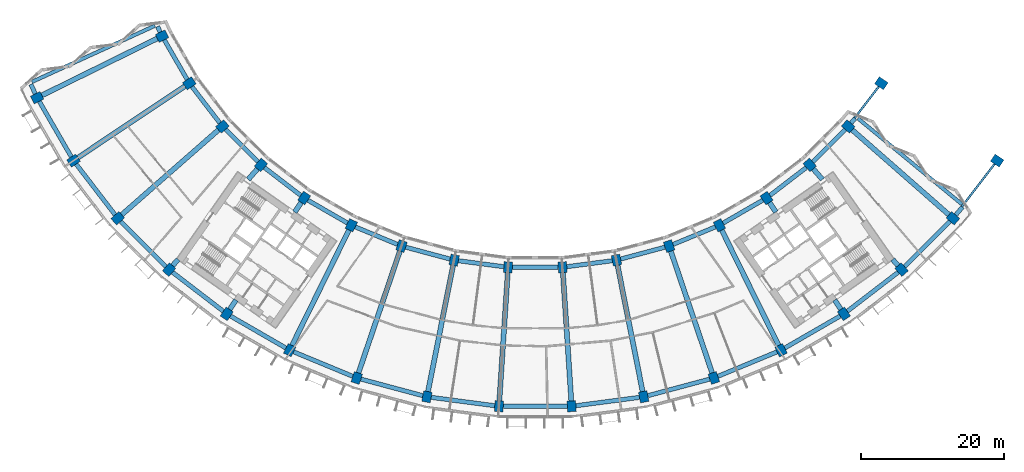
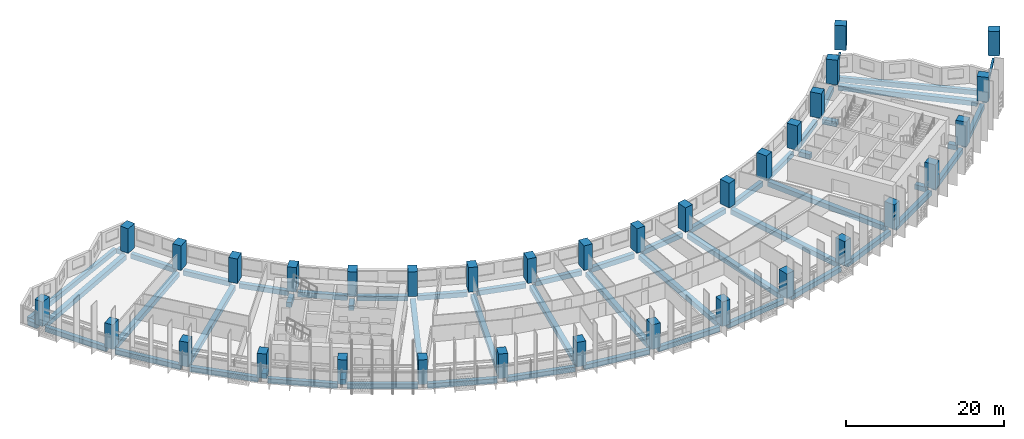
# One storey, part 1 of 30: 56 beams, 34 columns, 2 members.
"""IFC4 building model written with IfcOpenShell, lengths in metres."""

from ifc_helpers import new_model, si_unit, direction, frame, origin, origin_2d, place, context, subcontext, project, spatial, rectangle, hollow_rectangle, extrude, material, material_profile, profile_set, type_object, element, save


model = new_model("IFC4")

# Units and contexts
model_context = context("Model", 3, precision=1e-05, world=origin(), true_north=direction((0.0, 1.0)))
body_context = subcontext(model_context, "Body", "Model", "MODEL_VIEW")
ifc_project = project(units=[si_unit("LENGTHUNIT", "METRE"), si_unit("AREAUNIT", "SQUARE_METRE"), si_unit("VOLUMEUNIT", "CUBIC_METRE"), si_unit("PLANEANGLEUNIT", "RADIAN"), si_unit("MASSUNIT", "GRAM", prefix="KILO")], contexts=[model_context])

# Site, building, storey
site_placement = place(None, origin())
site = spatial("IfcSite", under=ifc_project, at=site_placement, CompositionType="ELEMENT")
building_placement = place(site_placement, origin())
building = spatial("IfcBuilding", under=site, at=building_placement, Name="Qamariyya Broadcast Tower", CompositionType="ELEMENT")
storey_placement = place(building_placement, frame((0.0, 0.0, 110.10009765625)))
storey = spatial("IfcBuildingStorey", under=building, at=storey_placement, Name="L24", CompositionType="ELEMENT", Elevation=110.10009765625)

# Columns
ifc_material_1 = material(Name="Concrete C70/85", Category="concrete")
ifc_material_profile_1 = material_profile(ifc_material_1, rectangle(XDim=1.199951171875, YDim=1.5, at=origin_2d()))
ifc_profile_set_1 = profile_set([ifc_material_profile_1], Name="Concrete C70/85")
column_type = type_object("IfcColumnType", Name="RC column 1200 x 1500 C70/85", PredefinedType="COLUMN", material=ifc_profile_set_1)
for number, where, z_axis, x_axis, name in (
    (1, (-52.242919921875, -25.763427734375, 0.0), (0.0, 0.0, 1.0), (0.442288690219, -0.896872741533, 0.0), "Column C7 L24 B-R02"),
    (2, (-69.73193359375, -34.387939453125, 0.0), (0.0, 0.0, 1.0), (0.442288690219, -0.896872741533, 0.0), "Column C7 L24 C-R02"),
    (3, (-48.43310546875, -32.362060546875, 0.0), (0.0, 0.0, 1.0), (0.55557023302, -0.831469612303, 0.0), "Column C7 L24 B-R03"),
    (4, (-64.646728515625, -43.195556640625, 0.0), (0.0, 0.0, 1.0), (0.55557023302, -0.831469612303, 0.0), "Column C7 L24 C-R03"),
    (5, (-43.794677734375, -38.406982421875, 0.0), (0.0, 0.0, 1.0), (0.6593458151, -0.751839807479, 0.0), "Column C7 L24 B-R04"),
    (6, (-58.45556640625, -51.26416015625, 0.0), (0.0, 0.0, 1.0), (0.6593458151, -0.751839807479, 0.0), "Column C7 L24 C-R04"),
    (7, (-38.406982421875, -43.794677734375, 0.0), (0.0, 0.0, 1.0), (0.751839807479, -0.6593458151, 0.0), "Column C7 L24 B-R05"),
    (8, (-51.26416015625, -58.45556640625, 0.0), (0.0, 0.0, 1.0), (0.751839807479, -0.6593458151, 0.0), "Column C7 L24 C-R05"),
    (9, (-32.362060546875, -48.43310546875, 0.0), (0.0, 0.0, 1.0), (0.831469612303, -0.55557023302, 0.0), "Column C7 L24 B-R06"),
    (10, (-43.195556640625, -64.646728515625, 0.0), (0.0, 0.0, 1.0), (0.831469612303, -0.55557023302, 0.0), "Column C7 L24 C-R06"),
    (11, (-25.763427734375, -52.242919921875, 0.0), (0.0, 0.0, 1.0), (0.896872741533, -0.442288690219, 0.0), "Column C7 L24 B-R07"),
    (12, (-34.387939453125, -69.73193359375, 0.0), (0.0, 0.0, 1.0), (0.896872741533, -0.442288690219, 0.0), "Column C7 L24 C-R07"),
    (13, (-18.723876953125, -55.15869140625, 0.0), (0.0, 0.0, 1.0), (0.946930129495, -0.321439465303, 0.0), "Column C7 L24 B-R08"),
    (14, (-24.991943359375, -73.623779296875, 0.0), (0.0, 0.0, 1.0), (0.946930129495, -0.321439465303, 0.0), "Column C7 L24 C-R08"),
    (15, (-11.364013671875, -57.130859375, 0.0), (0.0, 0.0, 1.0), (0.980785280403, -0.195090322016, 0.0), "Column C7 L24 B-R09"),
    (16, (-15.168212890625, -76.256103515625, 0.0), (0.0, 0.0, 1.0), (0.980785280403, -0.195090322016, 0.0), "Column C7 L24 C-R09"),
    (17, (-3.809814453125, -58.125244140625, 0.0), (0.0, 0.0, 1.0), (0.997858923239, -0.06540312923, 0.0), "Column C7 L24 B-R10"),
    (18, (-5.085205078125, -77.58349609375, 0.0), (0.0, 0.0, 1.0), (0.997858923239, -0.06540312923, 0.0), "Column C7 L24 C-R10"),
    (19, (3.809814453125, -58.125244140625, 0.0), (0.0, 0.0, 1.0), (0.997858923239, 0.06540312923, 0.0), "Column C7 L24 B-R11"),
    (20, (5.085205078125, -77.58349609375, 0.0), (0.0, 0.0, 1.0), (0.997858923239, 0.06540312923, 0.0), "Column C7 L24 C-R11"),
    (21, (11.364013671875, -57.130859375, 0.0), (0.0, 0.0, 1.0), (0.980785280403, 0.195090322016, 0.0), "Column C7 L24 B-R12"),
    (22, (15.168212890625, -76.256103515625, 0.0), (0.0, 0.0, 1.0), (0.980785280403, 0.195090322016, 0.0), "Column C7 L24 C-R12"),
    (23, (18.723876953125, -55.15869140625, 0.0), (0.0, 0.0, 1.0), (0.946930129495, 0.321439465303, 0.0), "Column C7 L24 B-R13"),
    (24, (24.991943359375, -73.623779296875, 0.0), (0.0, 0.0, 1.0), (0.946930129495, 0.321439465303, 0.0), "Column C7 L24 C-R13"),
    (25, (25.763427734375, -52.242919921875, 0.0), (0.0, 0.0, 1.0), (0.896872741533, 0.442288690219, 0.0), "Column C7 L24 B-R14"),
    (26, (34.387939453125, -69.73193359375, 0.0), (0.0, 0.0, 1.0), (0.896872741533, 0.442288690219, 0.0), "Column C7 L24 C-R14"),
    (27, (32.362060546875, -48.43310546875, 0.0), (0.0, 0.0, 1.0), (0.831469612303, 0.55557023302, 0.0), "Column C7 L24 B-R15"),
    (28, (43.195556640625, -64.646728515625, 0.0), (0.0, 0.0, 1.0), (0.831469612303, 0.55557023302, 0.0), "Column C7 L24 C-R15"),
    (29, (38.406982421875, -43.794677734375, 0.0), (0.0, 0.0, 1.0), (0.751839807479, 0.6593458151, 0.0), "Column C7 L24 B-R16"),
    (30, (51.26416015625, -58.45556640625, 0.0), (0.0, 0.0, 1.0), (0.751839807479, 0.6593458151, 0.0), "Column C7 L24 C-R16"),
    (31, (43.794677734375, -38.406982421875, 0.0), (0.0, 0.0, 1.0), (0.6593458151, 0.751839807479, 0.0), "Column C7 L24 B-R17"),
    (32, (58.45556640625, -51.26416015625, 0.0), (0.0, 0.0, 1.0), (0.6593458151, 0.751839807479, 0.0), "Column C7 L24 C-R17"),
    (33, (48.43310546875, -32.362060546875, 0.0), (0.0, 0.0, 1.0), (0.55557023302, 0.831469612303, 0.0), "Column C7 L24 B-R18"),
    (34, (64.646728515625, -43.195556640625, 0.0), (0.0, 0.0, 1.0), (0.55557023302, 0.831469612303, 0.0), "Column C7 L24 C-R18"),
):
    element("IfcColumn", number, at=place(storey_placement, frame(where, z_axis=z_axis, x_axis=x_axis)), inside=storey, type_object=column_type, Name=name, PredefinedType="COLUMN", context=body_context, shape_type="SweptSolid", body=[
        extrude(rectangle(XDim=1.199951171875, YDim=1.5, at=origin_2d()), origin(), (0.0, 0.0, 1.0), 3.7998046875),
    ])

# Members
ifc_material_2 = material(Name="Steel S355", Category="steel")
ifc_material_profile_2 = material_profile(ifc_material_2, hollow_rectangle(XDim=0.300048828125, YDim=0.300048828125, WallThickness=0.012451171875, InnerFilletRadius=0.012451171875, OuterFilletRadius=0.02490234375, at=origin_2d()))
ifc_profile_set_2 = profile_set([ifc_material_profile_2], Name="Steel S355")
member_type = type_object("IfcMemberType", Name="Pylon tie RHS 300x300x12.5", PredefinedType="STRUT", material=ifc_profile_set_2)
member_1_placement = place(storey_placement, frame((44.16064453125, -37.929931640625, -0.4501953125), z_axis=(0.608778135192, 0.793340520906, 0.0), x_axis=(-0.793340520906, 0.608778135192, 0.0)))
element("IfcMember", 35, at=member_1_placement, inside=storey, type_object=member_type, Name="Pylon tie T1 L24 B-R18", PredefinedType="STRUT", context=body_context, shape_type="SweptSolid", body=[
    extrude(hollow_rectangle(XDim=0.300048828125, YDim=0.300048828125, WallThickness=0.012451171875, InnerFilletRadius=0.012451171875, OuterFilletRadius=0.02490234375, at=origin_2d()), origin(), (0.0, 0.0, 1.0), 6.4169921875),
])
member_2_placement = place(storey_placement, frame((58.821533203125, -50.787109375, -0.4501953125), z_axis=(0.608766985019, 0.793349076984, 0.0), x_axis=(-0.793349076984, 0.608766985019, 0.0)))
element("IfcMember", 36, at=member_2_placement, inside=storey, type_object=member_type, Name="Pylon tie T1 L24 C-R18", PredefinedType="STRUT", context=body_context, shape_type="SweptSolid", body=[
    extrude(hollow_rectangle(XDim=0.300048828125, YDim=0.300048828125, WallThickness=0.012451171875, InnerFilletRadius=0.012451171875, OuterFilletRadius=0.02490234375, at=origin_2d()), origin(), (0.0, 0.0, 1.0), 8.9677734375),
])

# Beams
ifc_material_3 = material(Name="Concrete C50/60", Category="concrete")
ifc_material_profile_3 = material_profile(ifc_material_3, rectangle(XDim=0.60009765625, YDim=0.75, at=origin_2d()))
ifc_profile_set_3 = profile_set([ifc_material_profile_3], Name="Concrete C50/60")
beam_type_1 = type_object("IfcBeamType", Name="RC edge beam 600 x 750 C50/60", PredefinedType="SPANDREL", material=ifc_profile_set_3)
for number, where, z_axis, x_axis, name in (
    (37, (-51.942138671875, -26.283935546875, -0.675048828125), (0.49999360328, -0.866029096901, 0.0), (0.866029096901, 0.49999360328, 0.0), "Edge beam B15 L24 B R02-R03"),
    (38, (-48.067138671875, -32.839111328125, -0.675048828125), (0.608778135192, -0.793340520906, 0.0), (0.793340520906, 0.608778135192, 0.0), "Edge beam B15 L24 B R03-R04"),
):
    element("IfcBeam", number, at=place(storey_placement, frame(where, z_axis=z_axis, x_axis=x_axis)), inside=storey, type_object=beam_type_1, Name=name, PredefinedType="SPANDREL", context=body_context, shape_type="SweptSolid", body=[
        extrude(rectangle(XDim=0.60009765625, YDim=0.75, at=origin_2d()), origin(), (0.0, 0.0, 1.0), 6.4169921875),
    ])
beam_1_placement = place(storey_placement, frame((-43.369384765625, -38.83203125, -0.675048828125), z_axis=(0.707106781187, -0.707106781187, 0.0), x_axis=(0.707106781187, 0.707106781187, 0.0)))
element("IfcBeam", 39, at=beam_1_placement, inside=storey, type_object=beam_type_1, Name="Edge beam B15 L24 B R04-R05", PredefinedType="SPANDREL", context=body_context, shape_type="SweptSolid", body=[
    extrude(rectangle(XDim=0.60009765625, YDim=0.75, at=origin_2d()), origin(), (0.0, 0.0, 1.0), 6.416748046875),
])
for number, where, z_axis, x_axis, name in (
    (40, (-37.929931640625, -44.16064453125, -0.675048828125), (0.793340520906, -0.608778135192, 0.0), (0.608778135192, 0.793340520906, 0.0), "Edge beam B15 L24 B R05-R06"),
    (41, (-31.84130859375, -48.733642578125, -0.675048828125), (0.866029096901, -0.49999360328, 0.0), (0.49999360328, 0.866029096901, 0.0), "Edge beam B15 L24 B R06-R07"),
    (42, (-25.207763671875, -52.472900390625, -0.675048828125), (0.923884212686, -0.382672133229, 0.0), (0.382672133229, 0.923884212686, 0.0), "Edge beam B15 L24 B R07-R08"),
    (43, (-18.14306640625, -55.314208984375, -0.675048828125), (0.965922916603, -0.258829903956, 0.0), (0.258829903956, 0.965922916603, 0.0), "Edge beam B15 L24 B R08-R09"),
    (44, (-10.767822265625, -57.209228515625, -0.675048828125), (0.991443543958, -0.1305361986, 0.0), (0.1305361986, 0.991443543958, 0.0), "Edge beam B15 L24 B R09-R10"),
    (45, (-3.20849609375, -58.125244140625, -0.675048828125), (1.0, 0.0, 0.0), (0.0, 1.0, 0.0), "Edge beam B15 L24 B R10-R11"),
    (46, (4.40576171875, -58.046875, -0.675048828125), (0.991443543958, 0.1305361986, 0.0), (-0.1305361986, 0.991443543958, 0.0), "Edge beam B15 L24 B R11-R12"),
    (47, (11.94482421875, -56.97509765625, -0.675048828125), (0.965922916603, 0.258829903956, 0.0), (-0.258829903956, 0.965922916603, 0.0), "Edge beam B15 L24 B R12-R13"),
    (48, (19.279296875, -54.928466796875, -0.675048828125), (0.923884212686, 0.382672133229, 0.0), (-0.382672133229, 0.923884212686, 0.0), "Edge beam B15 L24 B R13-R14"),
    (49, (26.283935546875, -51.942138671875, -0.675048828125), (0.866029096901, 0.49999360328, 0.0), (-0.49999360328, 0.866029096901, 0.0), "Edge beam B15 L24 B R14-R15"),
    (50, (32.839111328125, -48.067138671875, -0.675048828125), (0.793340520906, 0.608778135192, 0.0), (-0.608778135192, 0.793340520906, 0.0), "Edge beam B15 L24 B R15-R16"),
):
    element("IfcBeam", number, at=place(storey_placement, frame(where, z_axis=z_axis, x_axis=x_axis)), inside=storey, type_object=beam_type_1, Name=name, PredefinedType="SPANDREL", context=body_context, shape_type="SweptSolid", body=[
        extrude(rectangle(XDim=0.60009765625, YDim=0.75, at=origin_2d()), origin(), (0.0, 0.0, 1.0), 6.4169921875),
    ])
beam_2_placement = place(storey_placement, frame((38.83203125, -43.369384765625, -0.675048828125), z_axis=(0.707106781187, 0.707106781187, 0.0), x_axis=(-0.707106781187, 0.707106781187, 0.0)))
element("IfcBeam", 51, at=beam_2_placement, inside=storey, type_object=beam_type_1, Name="Edge beam B15 L24 B R16-R17", PredefinedType="SPANDREL", context=body_context, shape_type="SweptSolid", body=[
    extrude(rectangle(XDim=0.60009765625, YDim=0.75, at=origin_2d()), origin(), (0.0, 0.0, 1.0), 6.416748046875),
])
beam_3_placement = place(storey_placement, frame((-69.43115234375, -34.90869140625, -0.675048828125), z_axis=(0.499989544228, -0.866031440343, 0.0), x_axis=(0.866031440343, 0.499989544228, 0.0)))
element("IfcBeam", 52, at=beam_3_placement, inside=storey, type_object=beam_type_1, Name="Edge beam B15 L24 C R02-R03", PredefinedType="SPANDREL", context=body_context, shape_type="SweptSolid", body=[
    extrude(rectangle(XDim=0.60009765625, YDim=0.75, at=origin_2d()), origin(), (0.0, 0.0, 1.0), 8.967529296875),
])
beam_4_placement = place(storey_placement, frame((-64.28076171875, -43.672607421875, -0.675048828125), z_axis=(0.608766985019, -0.793349076984, 0.0), x_axis=(0.793349076984, 0.608766985019, 0.0)))
element("IfcBeam", 53, at=beam_4_placement, inside=storey, type_object=beam_type_1, Name="Edge beam B15 L24 C R03-R04", PredefinedType="SPANDREL", context=body_context, shape_type="SweptSolid", body=[
    extrude(rectangle(XDim=0.60009765625, YDim=0.75, at=origin_2d()), origin(), (0.0, 0.0, 1.0), 8.9677734375),
])
beam_5_placement = place(storey_placement, frame((-58.0302734375, -51.689208984375, -0.675048828125), z_axis=(0.707106781187, -0.707106781187, 0.0), x_axis=(0.707106781187, 0.707106781187, 0.0)))
element("IfcBeam", 54, at=beam_5_placement, inside=storey, type_object=beam_type_1, Name="Edge beam B15 L24 C R04-R05", PredefinedType="SPANDREL", context=body_context, shape_type="SweptSolid", body=[
    extrude(rectangle(XDim=0.60009765625, YDim=0.75, at=origin_2d()), origin(), (0.0, 0.0, 1.0), 8.967529296875),
])
beam_6_placement = place(storey_placement, frame((-50.787109375, -58.821533203125, -0.675048828125), z_axis=(0.793349076984, -0.608766985019, 0.0), x_axis=(0.608766985019, 0.793349076984, 0.0)))
element("IfcBeam", 55, at=beam_6_placement, inside=storey, type_object=beam_type_1, Name="Edge beam B15 L24 C R05-R06", PredefinedType="SPANDREL", context=body_context, shape_type="SweptSolid", body=[
    extrude(rectangle(XDim=0.60009765625, YDim=0.75, at=origin_2d()), origin(), (0.0, 0.0, 1.0), 8.9677734375),
])
beam_7_placement = place(storey_placement, frame((-42.6748046875, -64.947509765625, -0.675048828125), z_axis=(0.866031440343, -0.499989544228, 0.0), x_axis=(0.499989544228, 0.866031440343, 0.0)))
element("IfcBeam", 56, at=beam_7_placement, inside=storey, type_object=beam_type_1, Name="Edge beam B15 L24 C R06-R07", PredefinedType="SPANDREL", context=body_context, shape_type="SweptSolid", body=[
    extrude(rectangle(XDim=0.60009765625, YDim=0.75, at=origin_2d()), origin(), (0.0, 0.0, 1.0), 8.967529296875),
])
beam_8_placement = place(storey_placement, frame((-33.83251953125, -69.9619140625, -0.675048828125), z_axis=(0.923877140182, -0.382689207907, 0.0), x_axis=(0.382689207907, 0.923877140182, 0.0)))
element("IfcBeam", 57, at=beam_8_placement, inside=storey, type_object=beam_type_1, Name="Edge beam B15 L24 C R07-R08", PredefinedType="SPANDREL", context=body_context, shape_type="SweptSolid", body=[
    extrude(rectangle(XDim=0.60009765625, YDim=0.75, at=origin_2d()), origin(), (0.0, 0.0, 1.0), 8.9677734375),
])
for number, where, z_axis, x_axis, name in (
    (58, (-24.4111328125, -73.779541015625, -0.675048828125), (0.965931525183, -0.258797775603, 0.0), (0.258797775603, 0.965931525183, 0.0), "Edge beam B15 L24 C R08-R09"),
    (59, (-14.572021484375, -76.33447265625, -0.675048828125), (0.991442708618, -0.130542542983, 0.0), (0.130542542983, 0.991442708618, 0.0), "Edge beam B15 L24 C R09-R10"),
):
    element("IfcBeam", number, at=place(storey_placement, frame(where, z_axis=z_axis, x_axis=x_axis)), inside=storey, type_object=beam_type_1, Name=name, PredefinedType="SPANDREL", context=body_context, shape_type="SweptSolid", body=[
        extrude(rectangle(XDim=0.60009765625, YDim=0.75, at=origin_2d()), origin(), (0.0, 0.0, 1.0), 8.967529296875),
    ])
beam_9_placement = place(storey_placement, frame((-4.48388671875, -77.58349609375, -0.675048828125), z_axis=(1.0, 0.0, 0.0), x_axis=(0.0, 1.0, 0.0)))
element("IfcBeam", 60, at=beam_9_placement, inside=storey, type_object=beam_type_1, Name="Edge beam B15 L24 C R10-R11", PredefinedType="SPANDREL", context=body_context, shape_type="SweptSolid", body=[
    extrude(rectangle(XDim=0.60009765625, YDim=0.75, at=origin_2d()), origin(), (0.0, 0.0, 1.0), 8.9677734375),
])
for number, where, z_axis, x_axis, name in (
    (61, (5.68115234375, -77.505126953125, -0.675048828125), (0.991442708618, 0.130542542983, 0.0), (-0.130542542983, 0.991442708618, 0.0), "Edge beam B15 L24 C R11-R12"),
    (62, (15.7490234375, -76.100341796875, -0.675048828125), (0.965931525183, 0.258797775603, 0.0), (-0.258797775603, 0.965931525183, 0.0), "Edge beam B15 L24 C R12-R13"),
):
    element("IfcBeam", number, at=place(storey_placement, frame(where, z_axis=z_axis, x_axis=x_axis)), inside=storey, type_object=beam_type_1, Name=name, PredefinedType="SPANDREL", context=body_context, shape_type="SweptSolid", body=[
        extrude(rectangle(XDim=0.60009765625, YDim=0.75, at=origin_2d()), origin(), (0.0, 0.0, 1.0), 8.967529296875),
    ])
beam_10_placement = place(storey_placement, frame((25.54736328125, -73.393798828125, -0.675048828125), z_axis=(0.923877140182, 0.382689207907, 0.0), x_axis=(-0.382689207907, 0.923877140182, 0.0)))
element("IfcBeam", 63, at=beam_10_placement, inside=storey, type_object=beam_type_1, Name="Edge beam B15 L24 C R13-R14", PredefinedType="SPANDREL", context=body_context, shape_type="SweptSolid", body=[
    extrude(rectangle(XDim=0.60009765625, YDim=0.75, at=origin_2d()), origin(), (0.0, 0.0, 1.0), 8.9677734375),
])
beam_11_placement = place(storey_placement, frame((34.90869140625, -69.43115234375, -0.675048828125), z_axis=(0.866031440343, 0.499989544228, 0.0), x_axis=(-0.499989544228, 0.866031440343, 0.0)))
element("IfcBeam", 64, at=beam_11_placement, inside=storey, type_object=beam_type_1, Name="Edge beam B15 L24 C R14-R15", PredefinedType="SPANDREL", context=body_context, shape_type="SweptSolid", body=[
    extrude(rectangle(XDim=0.60009765625, YDim=0.75, at=origin_2d()), origin(), (0.0, 0.0, 1.0), 8.967529296875),
])
beam_12_placement = place(storey_placement, frame((43.672607421875, -64.28076171875, -0.675048828125), z_axis=(0.793349076984, 0.608766985019, 0.0), x_axis=(-0.608766985019, 0.793349076984, 0.0)))
element("IfcBeam", 65, at=beam_12_placement, inside=storey, type_object=beam_type_1, Name="Edge beam B15 L24 C R15-R16", PredefinedType="SPANDREL", context=body_context, shape_type="SweptSolid", body=[
    extrude(rectangle(XDim=0.60009765625, YDim=0.75, at=origin_2d()), origin(), (0.0, 0.0, 1.0), 8.9677734375),
])
beam_13_placement = place(storey_placement, frame((51.689208984375, -58.0302734375, -0.675048828125), z_axis=(0.707106781187, 0.707106781187, 0.0), x_axis=(-0.707106781187, 0.707106781187, 0.0)))
element("IfcBeam", 66, at=beam_13_placement, inside=storey, type_object=beam_type_1, Name="Edge beam B15 L24 C R16-R17", PredefinedType="SPANDREL", context=body_context, shape_type="SweptSolid", body=[
    extrude(rectangle(XDim=0.60009765625, YDim=0.75, at=origin_2d()), origin(), (0.0, 0.0, 1.0), 8.967529296875),
])
ifc_material_profile_4 = material_profile(ifc_material_3, rectangle(XDim=0.60009765625, YDim=0.75, at=origin_2d()))
ifc_profile_set_4 = profile_set([ifc_material_profile_4], Name="Concrete C50/60")
beam_type_2 = type_object("IfcBeamType", Name="RC horn beam 600 x 750 C50/60", PredefinedType="BEAM", material=ifc_profile_set_4)
beam_14_placement = place(storey_placement, frame((-52.500244140625, -25.22119140625, -0.675048828125), z_axis=(-0.428775026668, 0.903411299745, 0.0), x_axis=(-0.903411299745, -0.428775026668, 0.0)))
element("IfcBeam", 67, at=beam_14_placement, inside=storey, type_object=beam_type_2, Name="Horn beam B14 L24 W B-R02", PredefinedType="BEAM", context=body_context, shape_type="SweptSolid", body=[
    extrude(rectangle(XDim=0.60009765625, YDim=0.75, at=origin_2d()), origin(), (0.0, 0.0, 1.0), 0.8837890625),
])
beam_15_placement = place(storey_placement, frame((-69.9892578125, -33.845947265625, -0.675048828125), z_axis=(-0.428845937914, 0.903377640599, 0.0), x_axis=(-0.903377640599, -0.428845937914, 0.0)))
element("IfcBeam", 68, at=beam_15_placement, inside=storey, type_object=beam_type_2, Name="Horn beam B14 L24 W C-R02", PredefinedType="BEAM", context=body_context, shape_type="SweptSolid", body=[
    extrude(rectangle(XDim=0.60009765625, YDim=0.75, at=origin_2d()), origin(), (0.0, 0.0, 1.0), 1.464111328125),
])
beam_16_placement = place(storey_placement, frame((44.18359375, -37.949951171875, -0.675048828125), z_axis=(0.648057273158, 0.761591603622, 0.0), x_axis=(-0.761591603622, 0.648057273158, 0.0)))
element("IfcBeam", 69, at=beam_16_placement, inside=storey, type_object=beam_type_2, Name="Horn beam B14 L24 E B-R17", PredefinedType="BEAM", context=body_context, shape_type="SweptSolid", body=[
    extrude(rectangle(XDim=0.60009765625, YDim=0.75, at=origin_2d()), origin(), (0.0, 0.0, 1.0), 0.8837890625),
])
beam_17_placement = place(storey_placement, frame((58.844482421875, -50.80712890625, -0.675048828125), z_axis=(0.64805485294, 0.761593663039, 0.0), x_axis=(-0.761593663039, 0.64805485294, 0.0)))
element("IfcBeam", 70, at=beam_17_placement, inside=storey, type_object=beam_type_2, Name="Horn beam B14 L24 E C-R17", PredefinedType="BEAM", context=body_context, shape_type="SweptSolid", body=[
    extrude(rectangle(XDim=0.60009765625, YDim=0.75, at=origin_2d()), origin(), (0.0, 0.0, 1.0), 1.46435546875),
])
ifc_material_profile_5 = material_profile(ifc_material_3, rectangle(XDim=0.5, YDim=0.75, at=origin_2d()))
ifc_profile_set_5 = profile_set([ifc_material_profile_5], Name="Concrete C50/60")
beam_type_3 = type_object("IfcBeamType", Name="RC horn cap beam 500 x 750 C50/60", PredefinedType="BEAM", material=ifc_profile_set_5)
for number, where, z_axis, x_axis, name in (
    (71, (-53.25927734375, -24.321533203125, -0.675048828125), (-0.909640470913, -0.415396453616, 0.0), (0.415396453616, -0.909640470913, 0.0), "Horn cap beam B17 L24 W B-C"),
    (72, (45.149658203125, -37.27734375, -0.675048828125), (0.771132422827, -0.636674788621, 0.0), (0.636674788621, 0.771132422827, 0.0), "Horn cap beam B17 L24 E B-C"),
):
    element("IfcBeam", number, at=place(storey_placement, frame(where, z_axis=z_axis, x_axis=x_axis)), inside=storey, type_object=beam_type_3, Name=name, PredefinedType="BEAM", context=body_context, shape_type="SweptSolid", body=[
        extrude(rectangle(XDim=0.5, YDim=0.75, at=origin_2d()), origin(), (0.0, 0.0, 1.0), 18.900146484375),
    ])
ifc_material_profile_6 = material_profile(ifc_material_3, rectangle(XDim=0.699951171875, YDim=0.75, at=origin_2d()))
ifc_profile_set_6 = profile_set([ifc_material_profile_6], Name="Concrete C50/60")
beam_type_4 = type_object("IfcBeamType", Name="RC radial beam 700 x 750 C50/60", PredefinedType="BEAM", material=ifc_profile_set_6)
beam_18_placement = place(storey_placement, frame((-52.91552734375, -26.094970703125, -0.675048828125), z_axis=(-0.896871386501, -0.442291437941, 0.0), x_axis=(0.442291437941, -0.896871386501, 0.0)))
element("IfcBeam", 73, at=beam_18_placement, inside=storey, type_object=beam_type_4, Name="Radial beam B13 L24 R02 B-C", PredefinedType="BEAM", context=body_context, shape_type="SweptSolid", body=[
    extrude(rectangle(XDim=0.699951171875, YDim=0.75, at=origin_2d()), origin(), (0.0, 0.0, 1.0), 17.999755859375),
])
beam_19_placement = place(storey_placement, frame((-49.056640625, -32.778564453125, -0.675048828125), z_axis=(-0.831471836778, -0.555566903843, 0.0), x_axis=(0.555566903843, -0.831471836778, 0.0)))
element("IfcBeam", 74, at=beam_19_placement, inside=storey, type_object=beam_type_4, Name="Radial beam B13 L24 R03 B-C", PredefinedType="BEAM", context=body_context, shape_type="SweptSolid", body=[
    extrude(rectangle(XDim=0.699951171875, YDim=0.75, at=origin_2d()), origin(), (0.0, 0.0, 1.0), 18.0),
])
beam_20_placement = place(storey_placement, frame((-44.358642578125, -38.9013671875, -0.675048828125), z_axis=(-0.751837671483, -0.659348250729, 0.0), x_axis=(0.659348250729, -0.751837671483, 0.0)))
element("IfcBeam", 75, at=beam_20_placement, inside=storey, type_object=beam_type_4, Name="Radial beam B13 L24 R04 B-C", PredefinedType="BEAM", context=body_context, shape_type="SweptSolid", body=[
    extrude(rectangle(XDim=0.699951171875, YDim=0.75, at=origin_2d()), origin(), (0.0, 0.0, 1.0), 17.999755859375),
])
beam_21_placement = place(storey_placement, frame((-38.9013671875, -44.358642578125, -0.675048828125), z_axis=(-0.659376140982, -0.751813211312, 0.0), x_axis=(0.751813211312, -0.659376140982, 0.0)))
element("IfcBeam", 76, at=beam_21_placement, inside=storey, type_object=beam_type_4, Name="Radial beam B13 L24 R05 B-C", PredefinedType="BEAM", context=body_context, shape_type="SweptSolid", body=[
    extrude(rectangle(XDim=0.699951171875, YDim=0.75, at=origin_2d()), origin(), (0.0, 0.0, 1.0), 1.96240234375),
])
beam_22_placement = place(storey_placement, frame((-50.011962890625, -57.027587890625, -0.675048828125), z_axis=(-0.659271387296, -0.751905072395, 0.0), x_axis=(0.751905072395, -0.659271387296, 0.0)))
element("IfcBeam", 77, at=beam_22_placement, inside=storey, type_object=beam_type_4, Name="Radial beam B13 L24 R05 B-C", PredefinedType="BEAM", context=body_context, shape_type="SweptSolid", body=[
    extrude(rectangle(XDim=0.699951171875, YDim=0.75, at=origin_2d()), origin(), (0.0, 0.0, 1.0), 1.149169921875),
])
beam_23_placement = place(storey_placement, frame((-32.778564453125, -49.056640625, -0.675048828125), z_axis=(-0.555537373717, -0.831491567248, 0.0), x_axis=(0.831491567248, -0.555537373717, 0.0)))
element("IfcBeam", 78, at=beam_23_placement, inside=storey, type_object=beam_type_4, Name="Radial beam B13 L24 R06 B-C", PredefinedType="BEAM", context=body_context, shape_type="SweptSolid", body=[
    extrude(rectangle(XDim=0.699951171875, YDim=0.75, at=origin_2d()), origin(), (0.0, 0.0, 1.0), 1.614501953125),
])
beam_24_placement = place(storey_placement, frame((-41.89990234375, -62.707763671875, -0.675048828125), z_axis=(-0.555554602959, -0.831480055762, 0.0), x_axis=(0.831480055762, -0.555554602959, 0.0)))
element("IfcBeam", 79, at=beam_24_placement, inside=storey, type_object=beam_type_4, Name="Radial beam B13 L24 R06 B-C", PredefinedType="BEAM", context=body_context, shape_type="SweptSolid", body=[
    extrude(rectangle(XDim=0.699951171875, YDim=0.75, at=origin_2d()), origin(), (0.0, 0.0, 1.0), 1.58203125),
])
beam_25_placement = place(storey_placement, frame((-26.094970703125, -52.91552734375, -0.675048828125), z_axis=(-0.442291437941, -0.896871386501, 0.0), x_axis=(0.896871386501, -0.442291437941, 0.0)))
element("IfcBeam", 80, at=beam_25_placement, inside=storey, type_object=beam_type_4, Name="Radial beam B13 L24 R07 B-C", PredefinedType="BEAM", context=body_context, shape_type="SweptSolid", body=[
    extrude(rectangle(XDim=0.699951171875, YDim=0.75, at=origin_2d()), origin(), (0.0, 0.0, 1.0), 17.999755859375),
])
beam_26_placement = place(storey_placement, frame((-18.96484375, -55.868896484375, -0.675048828125), z_axis=(-0.321439476461, -0.946930125707, 0.0), x_axis=(0.946930125707, -0.321439476461, 0.0)))
element("IfcBeam", 81, at=beam_26_placement, inside=storey, type_object=beam_type_4, Name="Radial beam B13 L24 R08 B-C", PredefinedType="BEAM", context=body_context, shape_type="SweptSolid", body=[
    extrude(rectangle(XDim=0.699951171875, YDim=0.75, at=origin_2d()), origin(), (0.0, 0.0, 1.0), 18.0),
])
beam_27_placement = place(storey_placement, frame((-11.51025390625, -57.8662109375, -0.675048828125), z_axis=(-0.195093569287, -0.980784634475, 0.0), x_axis=(0.980784634475, -0.195093569287, 0.0)))
element("IfcBeam", 82, at=beam_27_placement, inside=storey, type_object=beam_type_4, Name="Radial beam B13 L24 R09 B-C", PredefinedType="BEAM", context=body_context, shape_type="SweptSolid", body=[
    extrude(rectangle(XDim=0.699951171875, YDim=0.75, at=origin_2d()), origin(), (0.0, 0.0, 1.0), 18.000244140625),
])
for number, where, z_axis, x_axis, name in (
    (83, (-3.85888671875, -58.873779296875, -0.675048828125), (-0.065402689504, -0.99785895206, 0.0), (0.99785895206, -0.065402689504, 0.0), "Radial beam B13 L24 R10 B-C"),
    (84, (3.85888671875, -58.873779296875, -0.675048828125), (0.065402689504, -0.99785895206, 0.0), (0.99785895206, 0.065402689504, 0.0), "Radial beam B13 L24 R11 B-C"),
):
    element("IfcBeam", number, at=place(storey_placement, frame(where, z_axis=z_axis, x_axis=x_axis)), inside=storey, type_object=beam_type_4, Name=name, PredefinedType="BEAM", context=body_context, shape_type="SweptSolid", body=[
        extrude(rectangle(XDim=0.699951171875, YDim=0.75, at=origin_2d()), origin(), (0.0, 0.0, 1.0), 18.0),
    ])
beam_28_placement = place(storey_placement, frame((11.51025390625, -57.8662109375, -0.675048828125), z_axis=(0.195093569287, -0.980784634475, 0.0), x_axis=(0.980784634475, 0.195093569287, 0.0)))
element("IfcBeam", 85, at=beam_28_placement, inside=storey, type_object=beam_type_4, Name="Radial beam B13 L24 R12 B-C", PredefinedType="BEAM", context=body_context, shape_type="SweptSolid", body=[
    extrude(rectangle(XDim=0.699951171875, YDim=0.75, at=origin_2d()), origin(), (0.0, 0.0, 1.0), 18.000244140625),
])
beam_29_placement = place(storey_placement, frame((18.96484375, -55.868896484375, -0.675048828125), z_axis=(0.321439476461, -0.946930125707, 0.0), x_axis=(0.946930125707, 0.321439476461, 0.0)))
element("IfcBeam", 86, at=beam_29_placement, inside=storey, type_object=beam_type_4, Name="Radial beam B13 L24 R13 B-C", PredefinedType="BEAM", context=body_context, shape_type="SweptSolid", body=[
    extrude(rectangle(XDim=0.699951171875, YDim=0.75, at=origin_2d()), origin(), (0.0, 0.0, 1.0), 18.0),
])
beam_30_placement = place(storey_placement, frame((26.094970703125, -52.91552734375, -0.675048828125), z_axis=(0.442291437941, -0.896871386501, 0.0), x_axis=(0.896871386501, 0.442291437941, 0.0)))
element("IfcBeam", 87, at=beam_30_placement, inside=storey, type_object=beam_type_4, Name="Radial beam B13 L24 R14 B-C", PredefinedType="BEAM", context=body_context, shape_type="SweptSolid", body=[
    extrude(rectangle(XDim=0.699951171875, YDim=0.75, at=origin_2d()), origin(), (0.0, 0.0, 1.0), 17.999755859375),
])
beam_31_placement = place(storey_placement, frame((32.778564453125, -49.056640625, -0.675048828125), z_axis=(0.555537373717, -0.831491567248, 0.0), x_axis=(0.831491567248, 0.555537373717, 0.0)))
element("IfcBeam", 88, at=beam_31_placement, inside=storey, type_object=beam_type_4, Name="Radial beam B13 L24 R15 B-C", PredefinedType="BEAM", context=body_context, shape_type="SweptSolid", body=[
    extrude(rectangle(XDim=0.699951171875, YDim=0.75, at=origin_2d()), origin(), (0.0, 0.0, 1.0), 1.614501953125),
])
beam_32_placement = place(storey_placement, frame((41.89990234375, -62.707763671875, -0.675048828125), z_axis=(0.555554602959, -0.831480055762, 0.0), x_axis=(0.831480055762, 0.555554602959, 0.0)))
element("IfcBeam", 89, at=beam_32_placement, inside=storey, type_object=beam_type_4, Name="Radial beam B13 L24 R15 B-C", PredefinedType="BEAM", context=body_context, shape_type="SweptSolid", body=[
    extrude(rectangle(XDim=0.699951171875, YDim=0.75, at=origin_2d()), origin(), (0.0, 0.0, 1.0), 1.58203125),
])
beam_33_placement = place(storey_placement, frame((38.9013671875, -44.358642578125, -0.675048828125), z_axis=(0.659376140982, -0.751813211312, 0.0), x_axis=(0.751813211312, 0.659376140982, 0.0)))
element("IfcBeam", 90, at=beam_33_placement, inside=storey, type_object=beam_type_4, Name="Radial beam B13 L24 R16 B-C", PredefinedType="BEAM", context=body_context, shape_type="SweptSolid", body=[
    extrude(rectangle(XDim=0.699951171875, YDim=0.75, at=origin_2d()), origin(), (0.0, 0.0, 1.0), 1.96240234375),
])
beam_34_placement = place(storey_placement, frame((50.011962890625, -57.027587890625, -0.675048828125), z_axis=(0.659271387296, -0.751905072395, 0.0), x_axis=(0.751905072395, 0.659271387296, 0.0)))
element("IfcBeam", 91, at=beam_34_placement, inside=storey, type_object=beam_type_4, Name="Radial beam B13 L24 R16 B-C", PredefinedType="BEAM", context=body_context, shape_type="SweptSolid", body=[
    extrude(rectangle(XDim=0.699951171875, YDim=0.75, at=origin_2d()), origin(), (0.0, 0.0, 1.0), 1.149169921875),
])
beam_35_placement = place(storey_placement, frame((44.358642578125, -38.9013671875, -0.675048828125), z_axis=(0.751837671483, -0.659348250729, 0.0), x_axis=(0.659348250729, 0.751837671483, 0.0)))
element("IfcBeam", 92, at=beam_35_placement, inside=storey, type_object=beam_type_4, Name="Radial beam B13 L24 R17 B-C", PredefinedType="BEAM", context=body_context, shape_type="SweptSolid", body=[
    extrude(rectangle(XDim=0.699951171875, YDim=0.75, at=origin_2d()), origin(), (0.0, 0.0, 1.0), 17.999755859375),
])

save(model, "model.ifc")
